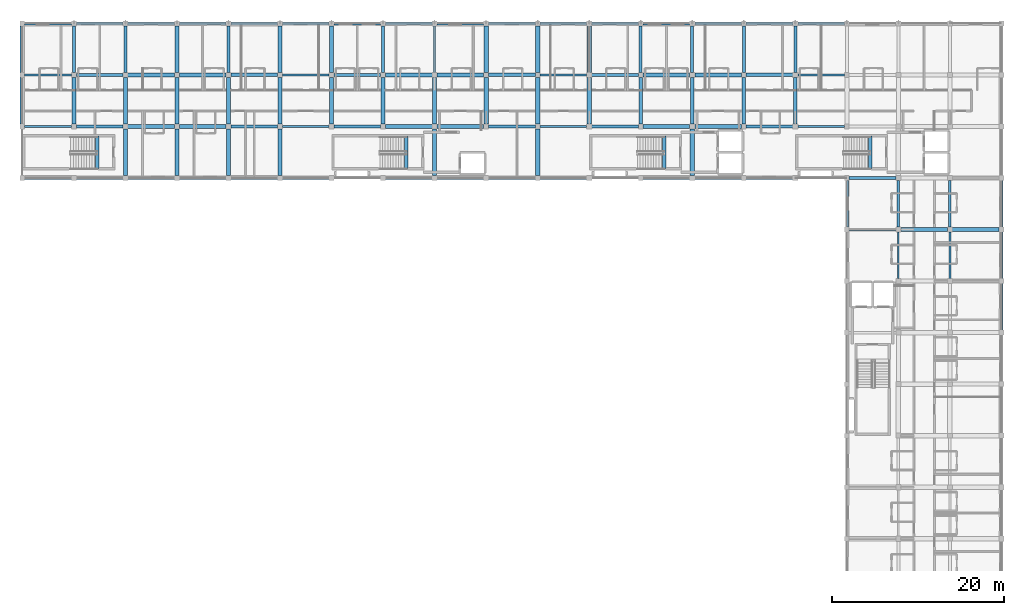
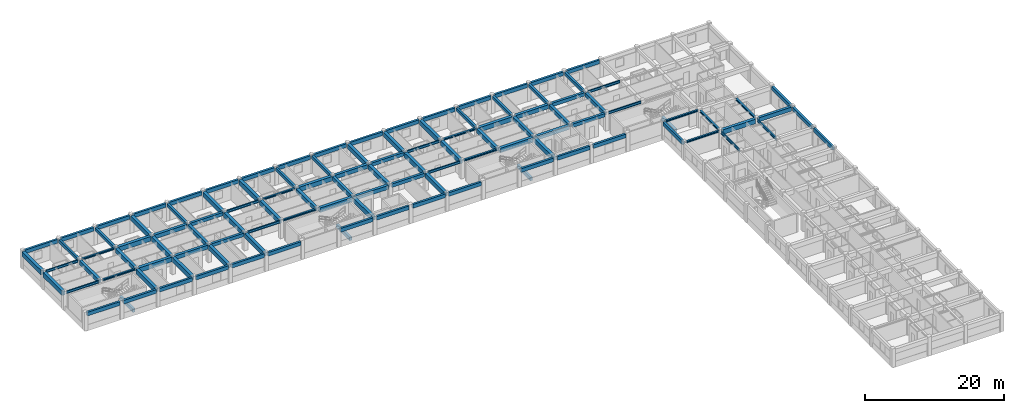
# One storey, part 2 of 22: 116 beams.
"""IFC4 building model written with IfcOpenShell, lengths in metres."""

import ifcopenshell
import ifcopenshell.guid

model = None  # the IFC model being written
_history = None  # IfcOwnerHistory: only IFC2X3 demands one
_inside = {}  # id of a spatial element -> (the spatial element, [elements in it])
_under = {}  # id of a project, library or spatial element -> (it, [spatial elements below it])
_declared = {}  # id of a project -> (the project, [libraries it declares])
_typed = {}  # id of a type object -> (the type object, [elements of that type])
_made_of = {}  # id of a material, layer set ... -> (it, [elements and type objects made of it])


def new_model(schema):
    """Start an empty IFC model of exactly this schema.

    Asked for "IFC4X3", IfcOpenShell would pick the latest addendum, in which some entities
    have other attributes; the version numbers below select the first issue.
    IFC2X3 requires an IfcOwnerHistory on every rooted entity: one is made here for all.
    """
    global model, _history
    if schema == "IFC4X3":
        model = ifcopenshell.file(schema_version=(4, 3, 0, 0))
    else:
        model = ifcopenshell.file(schema=schema)
    _inside.clear()
    _under.clear()
    _declared.clear()
    _typed.clear()
    _made_of.clear()
    _history = None
    if model.schema == "IFC2X3":
        org = make("IfcOrganization", Name="unknown")
        user = make(
            "IfcPersonAndOrganization",
            ThePerson=make("IfcPerson", FamilyName="unknown"),
            TheOrganization=org,
        )
        app = make(
            "IfcApplication",
            ApplicationDeveloper=org,
            Version="unknown",
            ApplicationFullName="unknown",
            ApplicationIdentifier="unknown",
        )
        _history = make(
            "IfcOwnerHistory",
            OwningUser=user,
            OwningApplication=app,
            ChangeAction="ADDED",
            CreationDate=0,
        )
    return model


def make(cls, **values):
    """One entity of the class cls with the attributes given. An attribute that is None is left unset."""
    return model.create_entity(
        cls, **{name: value for name, value in values.items() if value is not None}
    )


def rooted(cls, **values):
    """An entity with a GlobalId (a new one), such as an element, a storey or a relation."""
    return make(cls, GlobalId=ifcopenshell.guid.new(), OwnerHistory=_history, **values)


def si_unit(unit_type, name, prefix=None):
    """IfcSIUnit, for example si_unit("LENGTHUNIT", "METRE", prefix="MILLI")."""
    return make("IfcSIUnit", UnitType=unit_type, Prefix=prefix, Name=name)


def assignment(units):
    """IfcUnitAssignment: the units of a project."""
    return None if units is None else make("IfcUnitAssignment", Units=units)


def point(xyz):
    """IfcCartesianPoint."""
    return None if xyz is None else make("IfcCartesianPoint", Coordinates=xyz)


def direction(xyz):
    """IfcDirection."""
    return None if xyz is None else make("IfcDirection", DirectionRatios=xyz)


def frame(location, z_axis=None, x_axis=None):
    """IfcAxis2Placement3D, a coordinate frame: its origin and axes. An axis left out is left unset."""
    return make(
        "IfcAxis2Placement3D",
        Location=point(location),
        Axis=direction(z_axis),
        RefDirection=direction(x_axis),
    )


def frame_2d(location, x_axis=None):
    """IfcAxis2Placement2D, a coordinate frame in the plane: its origin and x axis."""
    return make(
        "IfcAxis2Placement2D", Location=point(location), RefDirection=direction(x_axis)
    )


def origin():
    """The frame at (0, 0, 0) with its axes left unset."""
    return frame((0.0, 0.0, 0.0))


def origin_2d():
    """The frame at (0, 0) in the plane with its x axis left unset."""
    return frame_2d((0.0, 0.0))


def place(relative_to, where):
    """IfcLocalPlacement: puts the frame where relative to a parent placement (None: the world)."""
    return make(
        "IfcLocalPlacement", PlacementRelTo=relative_to, RelativePlacement=where
    )


def context(
    kind, dimensions, precision=None, world=None, true_north=None, identifier=None
):
    """IfcGeometricRepresentationContext, for example the 3D "Model" context."""
    return make(
        "IfcGeometricRepresentationContext",
        ContextIdentifier=identifier,
        ContextType=kind,
        CoordinateSpaceDimension=dimensions,
        Precision=precision,
        WorldCoordinateSystem=world,
        TrueNorth=true_north,
    )


def subcontext(parent, identifier, kind, view, scale=None):
    """IfcGeometricRepresentationSubContext, for example "Body" below "Model"."""
    return make(
        "IfcGeometricRepresentationSubContext",
        ContextIdentifier=identifier,
        ContextType=kind,
        ParentContext=parent,
        TargetScale=scale,
        TargetView=view,
    )


def project(units=None, contexts=None):
    """IfcProject with its units and contexts."""
    return rooted(
        "IfcProject",
        Name="project",
        RepresentationContexts=contexts,
        UnitsInContext=assignment(units),
    )


def spatial(cls, under=None, at=None, **own):
    """A site, building, storey or space (cls), placed at a placement, below another one or the project."""
    s = rooted(cls, ObjectPlacement=at, **own)
    if under is not None:
        _under.setdefault(under.id(), (under, []))[1].append(s)
    return s


def profile(cls, at=None, kind="AREA", **sizes):
    """A parametric profile (cls). Its sizes go by their IFC names, for example OverallWidth=200.0."""
    return make(cls, ProfileType=kind, Position=at, **sizes)


def rectangle(**sizes):
    """IfcRectangleProfileDef."""
    return profile("IfcRectangleProfileDef", **sizes)


def i_section(**sizes):
    """IfcIShapeProfileDef."""
    return profile("IfcIShapeProfileDef", **sizes)


def extrude(swept, where, along, depth):
    """IfcExtrudedAreaSolid: the profile swept, set in the frame where, extruded along a direction by depth."""
    return make(
        "IfcExtrudedAreaSolid",
        SweptArea=swept,
        Position=where,
        ExtrudedDirection=direction(along),
        Depth=depth,
    )


def shape(context_of_items, identifier, shape_type, items):
    """IfcShapeRepresentation: the items that make up one representation, for example the "Body"."""
    return make(
        "IfcShapeRepresentation",
        ContextOfItems=context_of_items,
        RepresentationIdentifier=identifier,
        RepresentationType=shape_type,
        Items=items,
    )


def material(Name=None, Category=None):
    """IfcMaterial."""
    return make("IfcMaterial", Name=Name, Category=Category)


def material_profile(
    of_material, cross_section, Name=None, Category=None, Priority=None
):
    """IfcMaterialProfile: a cross section and its material."""
    return make(
        "IfcMaterialProfile",
        Name=Name,
        Material=of_material,
        Profile=cross_section,
        Priority=Priority,
        Category=Category,
    )


def profile_set(profiles, Name=None, composite=None):
    """IfcMaterialProfileSet."""
    return make(
        "IfcMaterialProfileSet",
        Name=Name,
        MaterialProfiles=profiles,
        CompositeProfile=composite,
    )


def made_of(thing, what):
    """Note that an element or type object is made of a material, layer set ...; save() writes the relation."""
    if what is not None:
        _made_of.setdefault(what.id(), (what, []))[1].append(thing)
    return thing


def type_object(cls, material=None, **own):
    """A type object (cls), such as IfcWallType, which elements share."""
    return made_of(rooted(cls, **own), material)


def element(
    cls,
    number,
    at=None,
    inside=None,
    cuts=None,
    type_object=None,
    material=None,
    context=None,
    identifier="Body",
    shape_type=None,
    held_by="IfcProductDefinitionShape",
    body=None,
    shapes=None,
    **own,
):
    """One element of the class cls, such as IfcWall. Its Tag is "e" and its number.

    at: its placement. inside: the storey or other place that contains it. cuts: it is an
    opening in that element (IfcRelVoidsElement). A single representation is given by context,
    identifier, shape_type and body (its items); several are given by shapes. held_by: the class
    of the entity that holds the representations. save() writes the other relations.
    """
    e = rooted(cls, Tag="e%d" % number, ObjectPlacement=at, **own)
    if body is not None:
        shapes = [shape(context, identifier, shape_type, body)]
    if shapes is not None:
        e.Representation = make(held_by, Representations=shapes)
    if inside is not None:
        _inside.setdefault(inside.id(), (inside, []))[1].append(e)
    if cuts is not None:
        rooted(
            "IfcRelVoidsElement", RelatingBuildingElement=cuts, RelatedOpeningElement=e
        )
    if type_object is not None:
        _typed.setdefault(type_object.id(), (type_object, []))[1].append(e)
    return made_of(e, material)


def aggregate(whole, parts):
    """IfcRelAggregates: a whole, such as a stair, and the parts it consists of."""
    return rooted("IfcRelAggregates", RelatingObject=whole, RelatedObjects=parts)


def save(model, path):
    """Write the relations noted so far, then the file.

    IfcRelAggregates (storeys below a building ...), IfcRelContainedInSpatialStructure (elements
    in a storey), IfcRelDefinesByType, IfcRelAssociatesMaterial and IfcRelDeclares: one each for
    every whole, place, type object, material and project.
    """
    for whole, parts in _under.values():
        aggregate(whole, parts)
    for where, things in _inside.values():
        rooted(
            "IfcRelContainedInSpatialStructure",
            RelatedElements=things,
            RelatingStructure=where,
        )
    for kind, things in _typed.values():
        rooted("IfcRelDefinesByType", RelatedObjects=things, RelatingType=kind)
    for what, things in _made_of.values():
        rooted("IfcRelAssociatesMaterial", RelatedObjects=things, RelatingMaterial=what)
    for by, libraries in _declared.values():
        rooted("IfcRelDeclares", RelatingContext=by, RelatedDefinitions=libraries)
    model.write(path)


model = new_model("IFC4")

# Units and contexts
model_context = context("Model", 3, precision=1e-05, world=origin(), true_north=direction((0.0, 1.0)))
body_context = subcontext(model_context, "Body", "Model", "MODEL_VIEW")
ifc_project = project(units=[si_unit("LENGTHUNIT", "METRE"), si_unit("AREAUNIT", "SQUARE_METRE"), si_unit("VOLUMEUNIT", "CUBIC_METRE"), si_unit("PLANEANGLEUNIT", "RADIAN"), si_unit("MASSUNIT", "GRAM", prefix="KILO"), si_unit("THERMODYNAMICTEMPERATUREUNIT", "KELVIN"), si_unit("POWERUNIT", "WATT")], contexts=[model_context])

# Site, building, storey
site_placement = place(None, origin())
site = spatial("IfcSite", under=ifc_project, at=site_placement, CompositionType="ELEMENT")
building_placement = place(site_placement, origin())
building = spatial("IfcBuilding", under=site, at=building_placement, Name="Phaisarnlok Congress Hotel", CompositionType="ELEMENT")
storey_placement = place(building_placement, frame((0.0, 0.0, 28.199951171875)))
storey = spatial("IfcBuildingStorey", under=building, at=storey_placement, Name="L06", CompositionType="ELEMENT", Elevation=28.199951171875)

# Beams
ifc_material_1 = material(Name="Concrete C40/50", Category="concrete")
ifc_material_profile_1 = material_profile(ifc_material_1, rectangle(XDim=0.35009765625, YDim=0.550048828125, at=origin_2d()), Name="RC 350x550")
ifc_profile_set_1 = profile_set([ifc_material_profile_1], Name="Concrete C40/50")
beam_type_1 = type_object("IfcBeamType", Name="BM-RC-350x550", PredefinedType="BEAM", material=ifc_profile_set_1)
beam_1_placement = place(storey_placement, frame((72.0, 120.294921875, 2.804931640625), z_axis=(0.0, 1.0, 0.0), x_axis=(-1.0, 0.0, 0.0)))
element("IfcBeam", 1, at=beam_1_placement, inside=storey, type_object=beam_type_1, Name="Beam B-01", PredefinedType="BEAM", context=body_context, shape_type="SweptSolid", body=[
    extrude(rectangle(XDim=0.35009765625, YDim=0.550048828125, at=origin_2d()), origin(), (0.0, 0.0, 1.0), 5.41015625),
])
for number, where, z_axis, x_axis, name in (
    (2, (78.0, 120.27001953125, 2.804931640625), (0.0, 1.0, 0.0), (-1.0, 0.0, 0.0), "Beam B-01"),
    (3, (90.0, 120.27001953125, 2.804931640625), (0.0, 1.0, 0.0), (-1.0, 0.0, 0.0), "Beam B-01"),
):
    element("IfcBeam", number, at=place(storey_placement, frame(where, z_axis=z_axis, x_axis=x_axis)), inside=storey, type_object=beam_type_1, Name=name, PredefinedType="BEAM", context=body_context, shape_type="SweptSolid", body=[
        extrude(rectangle(XDim=0.35009765625, YDim=0.550048828125, at=origin_2d()), origin(), (0.0, 0.0, 1.0), 5.4599609375),
    ])
beam_2_placement = place(storey_placement, frame((108.0, 120.294921875, 2.804931640625), z_axis=(0.0, 1.0, 0.0), x_axis=(-1.0, 0.0, 0.0)))
element("IfcBeam", 4, at=beam_2_placement, inside=storey, type_object=beam_type_1, Name="Beam B-01", PredefinedType="BEAM", context=body_context, shape_type="SweptSolid", body=[
    extrude(rectangle(XDim=0.35009765625, YDim=0.550048828125, at=origin_2d()), origin(), (0.0, 0.0, 1.0), 5.41015625),
])
for number, where, z_axis, x_axis, name in (
    (5, (114.0, 120.27001953125, 2.804931640625), (0.0, 1.0, 0.0), (-1.0, 0.0, 0.0), "Beam B-01"),
    (6, (138.0, 120.27001953125, 2.804931640625), (0.0, 1.0, 0.0), (-1.0, 0.0, 0.0), "Beam B-01"),
):
    element("IfcBeam", number, at=place(storey_placement, frame(where, z_axis=z_axis, x_axis=x_axis)), inside=storey, type_object=beam_type_1, Name=name, PredefinedType="BEAM", context=body_context, shape_type="SweptSolid", body=[
        extrude(rectangle(XDim=0.35009765625, YDim=0.550048828125, at=origin_2d()), origin(), (0.0, 0.0, 1.0), 5.4599609375),
    ])
beam_3_placement = place(storey_placement, frame((144.0, 120.294921875, 2.804931640625), z_axis=(0.0, 1.0, 0.0), x_axis=(-1.0, 0.0, 0.0)))
element("IfcBeam", 7, at=beam_3_placement, inside=storey, type_object=beam_type_1, Name="Beam B-01", PredefinedType="BEAM", context=body_context, shape_type="SweptSolid", body=[
    extrude(rectangle(XDim=0.35009765625, YDim=0.550048828125, at=origin_2d()), origin(), (0.0, 0.0, 1.0), 5.41015625),
])
beam_4_placement = place(storey_placement, frame((150.0, 120.27001953125, 2.804931640625), z_axis=(0.0, 1.0, 0.0), x_axis=(-1.0, 0.0, 0.0)))
element("IfcBeam", 8, at=beam_4_placement, inside=storey, type_object=beam_type_1, Name="Beam B-01", PredefinedType="BEAM", context=body_context, shape_type="SweptSolid", body=[
    extrude(rectangle(XDim=0.35009765625, YDim=0.550048828125, at=origin_2d()), origin(), (0.0, 0.0, 1.0), 5.4599609375),
])
beam_5_placement = place(storey_placement, frame((156.0, 120.294921875, 2.804931640625), z_axis=(0.0, 1.0, 0.0), x_axis=(-1.0, 0.0, 0.0)))
element("IfcBeam", 9, at=beam_5_placement, inside=storey, type_object=beam_type_1, Name="Beam B-01", PredefinedType="BEAM", context=body_context, shape_type="SweptSolid", body=[
    extrude(rectangle(XDim=0.35009765625, YDim=0.550048828125, at=origin_2d()), origin(), (0.0, 0.0, 1.0), 5.41015625),
])
ifc_material_profile_2 = material_profile(ifc_material_1, rectangle(XDim=0.39990234375, YDim=0.60009765625, at=origin_2d()), Name="RC 400x600")
ifc_profile_set_2 = profile_set([ifc_material_profile_2], Name="Concrete C40/50")
beam_type_2 = type_object("IfcBeamType", Name="BM-RC-400x600", PredefinedType="BEAM", material=ifc_profile_set_2)
for number, where, z_axis, x_axis, name in (
    (10, (90.27001953125, 114.0, 2.780029296875), (1.0, 0.0, 0.0), (0.0, 1.0, 0.0), "Beam B-02"),
    (11, (90.27001953125, 120.0, 2.780029296875), (1.0, 0.0, 0.0), (0.0, 1.0, 0.0), "Beam B-02"),
    (12, (120.294921875, 114.0, 2.780029296875), (1.0, 0.0, 0.0), (0.0, 1.0, 0.0), "Beam B-02"),
    (13, (120.294921875, 120.0, 2.780029296875), (1.0, 0.0, 0.0), (0.0, 1.0, 0.0), "Beam B-02"),
    (14, (150.27001953125, 114.0, 2.780029296875), (1.0, 0.0, 0.0), (0.0, 1.0, 0.0), "Beam B-02"),
    (15, (150.27001953125, 120.0, 2.780029296875), (1.0, 0.0, 0.0), (0.0, 1.0, 0.0), "Beam B-02"),
):
    element("IfcBeam", number, at=place(storey_placement, frame(where, z_axis=z_axis, x_axis=x_axis)), inside=storey, type_object=beam_type_2, Name=name, PredefinedType="BEAM", context=body_context, shape_type="SweptSolid", body=[
        extrude(rectangle(XDim=0.39990234375, YDim=0.60009765625, at=origin_2d()), origin(), (0.0, 0.0, 1.0), 5.43505859375),
    ])
for number, where, z_axis, x_axis, name in (
    (16, (164.719970703125, 109.080078125, -0.300048828125), (0.0, 1.0, 0.0), (-1.0, 0.0, 0.0), "Stair landing header beam B-02 (CORE-1 L06)"),
    (17, (140.719970703125, 109.080078125, -0.300048828125), (0.0, 1.0, 0.0), (-1.0, 0.0, 0.0), "Stair landing header beam B-02 (CORE-2 L06)"),
    (18, (110.719970703125, 109.080078125, -0.300048828125), (0.0, 1.0, 0.0), (-1.0, 0.0, 0.0), "Stair landing header beam B-02 (CORE-4 L06)"),
    (19, (74.719970703125, 109.080078125, -0.300048828125), (0.0, 1.0, 0.0), (-1.0, 0.0, 0.0), "Stair landing header beam B-02 (STAIR-HW L06)"),
):
    element("IfcBeam", number, at=place(storey_placement, frame(where, z_axis=z_axis, x_axis=x_axis)), inside=storey, type_object=beam_type_2, Name=name, PredefinedType="BEAM", context=body_context, shape_type="SweptSolid", body=[
        extrude(rectangle(XDim=0.39990234375, YDim=0.60009765625, at=origin_2d()), origin(), (0.0, 0.0, 1.0), 3.83984375),
    ])
ifc_material_profile_3 = material_profile(ifc_material_1, rectangle(XDim=0.449951171875, YDim=0.699951171875, at=origin_2d()), Name="RC 450x700")
ifc_profile_set_3 = profile_set([ifc_material_profile_3], Name="Concrete C40/50")
beam_type_3 = type_object("IfcBeamType", Name="BM-RC-450x700", PredefinedType="BEAM", material=ifc_profile_set_3)
beam_6_placement = place(storey_placement, frame((72.0, 114.294921875, 2.72998046875), z_axis=(0.0, 1.0, 0.0), x_axis=(-1.0, 0.0, 0.0)))
element("IfcBeam", 20, at=beam_6_placement, inside=storey, type_object=beam_type_3, Name="Beam B-03", PredefinedType="BEAM", context=body_context, shape_type="SweptSolid", body=[
    extrude(rectangle(XDim=0.449951171875, YDim=0.699951171875, at=origin_2d()), origin(), (0.0, 0.0, 1.0), 5.41015625),
])
beam_7_placement = place(storey_placement, frame((78.0, 114.27001953125, 2.72998046875), z_axis=(0.0, 1.0, 0.0), x_axis=(-1.0, 0.0, 0.0)))
element("IfcBeam", 21, at=beam_7_placement, inside=storey, type_object=beam_type_3, Name="Beam B-03", PredefinedType="BEAM", context=body_context, shape_type="SweptSolid", body=[
    extrude(rectangle(XDim=0.449951171875, YDim=0.699951171875, at=origin_2d()), origin(), (0.0, 0.0, 1.0), 5.4599609375),
])
for number, where, z_axis, x_axis, name in (
    (22, (84.294921875, 114.0, 2.72998046875), (1.0, 0.0, 0.0), (0.0, 1.0, 0.0), "Beam B-03"),
    (23, (84.294921875, 120.0, 2.72998046875), (1.0, 0.0, 0.0), (0.0, 1.0, 0.0), "Beam B-03"),
):
    element("IfcBeam", number, at=place(storey_placement, frame(where, z_axis=z_axis, x_axis=x_axis)), inside=storey, type_object=beam_type_3, Name=name, PredefinedType="BEAM", context=body_context, shape_type="SweptSolid", body=[
        extrude(rectangle(XDim=0.449951171875, YDim=0.699951171875, at=origin_2d()), origin(), (0.0, 0.0, 1.0), 5.43505859375),
    ])
beam_8_placement = place(storey_placement, frame((90.0, 114.27001953125, 2.72998046875), z_axis=(0.0, 1.0, 0.0), x_axis=(-1.0, 0.0, 0.0)))
element("IfcBeam", 24, at=beam_8_placement, inside=storey, type_object=beam_type_3, Name="Beam B-03", PredefinedType="BEAM", context=body_context, shape_type="SweptSolid", body=[
    extrude(rectangle(XDim=0.449951171875, YDim=0.699951171875, at=origin_2d()), origin(), (0.0, 0.0, 1.0), 5.4599609375),
])
beam_9_placement = place(storey_placement, frame((108.0, 114.294921875, 2.72998046875), z_axis=(0.0, 1.0, 0.0), x_axis=(-1.0, 0.0, 0.0)))
element("IfcBeam", 25, at=beam_9_placement, inside=storey, type_object=beam_type_3, Name="Beam B-03", PredefinedType="BEAM", context=body_context, shape_type="SweptSolid", body=[
    extrude(rectangle(XDim=0.449951171875, YDim=0.699951171875, at=origin_2d()), origin(), (0.0, 0.0, 1.0), 5.41015625),
])
beam_10_placement = place(storey_placement, frame((114.27001953125, 114.0, 2.72998046875), z_axis=(1.0, 0.0, 0.0), x_axis=(0.0, 1.0, 0.0)))
element("IfcBeam", 26, at=beam_10_placement, inside=storey, type_object=beam_type_3, Name="Beam B-03", PredefinedType="BEAM", context=body_context, shape_type="SweptSolid", body=[
    extrude(rectangle(XDim=0.449951171875, YDim=0.699951171875, at=origin_2d()), origin(), (0.0, 0.0, 1.0), 5.43505859375),
])
beam_11_placement = place(storey_placement, frame((114.0, 114.27001953125, 2.72998046875), z_axis=(0.0, 1.0, 0.0), x_axis=(-1.0, 0.0, 0.0)))
element("IfcBeam", 27, at=beam_11_placement, inside=storey, type_object=beam_type_3, Name="Beam B-03", PredefinedType="BEAM", context=body_context, shape_type="SweptSolid", body=[
    extrude(rectangle(XDim=0.449951171875, YDim=0.699951171875, at=origin_2d()), origin(), (0.0, 0.0, 1.0), 5.4599609375),
])
beam_12_placement = place(storey_placement, frame((114.27001953125, 120.0, 2.72998046875), z_axis=(1.0, 0.0, 0.0), x_axis=(0.0, 1.0, 0.0)))
element("IfcBeam", 28, at=beam_12_placement, inside=storey, type_object=beam_type_3, Name="Beam B-03", PredefinedType="BEAM", context=body_context, shape_type="SweptSolid", body=[
    extrude(rectangle(XDim=0.449951171875, YDim=0.699951171875, at=origin_2d()), origin(), (0.0, 0.0, 1.0), 5.43505859375),
])
beam_13_placement = place(storey_placement, frame((138.0, 114.27001953125, 2.72998046875), z_axis=(0.0, 1.0, 0.0), x_axis=(-1.0, 0.0, 0.0)))
element("IfcBeam", 29, at=beam_13_placement, inside=storey, type_object=beam_type_3, Name="Beam B-03", PredefinedType="BEAM", context=body_context, shape_type="SweptSolid", body=[
    extrude(rectangle(XDim=0.449951171875, YDim=0.699951171875, at=origin_2d()), origin(), (0.0, 0.0, 1.0), 5.4599609375),
])
beam_14_placement = place(storey_placement, frame((144.294921875, 114.0, 2.72998046875), z_axis=(1.0, 0.0, 0.0), x_axis=(0.0, 1.0, 0.0)))
element("IfcBeam", 30, at=beam_14_placement, inside=storey, type_object=beam_type_3, Name="Beam B-03", PredefinedType="BEAM", context=body_context, shape_type="SweptSolid", body=[
    extrude(rectangle(XDim=0.449951171875, YDim=0.699951171875, at=origin_2d()), origin(), (0.0, 0.0, 1.0), 5.43505859375),
])
beam_15_placement = place(storey_placement, frame((144.0, 114.294921875, 2.72998046875), z_axis=(0.0, 1.0, 0.0), x_axis=(-1.0, 0.0, 0.0)))
element("IfcBeam", 31, at=beam_15_placement, inside=storey, type_object=beam_type_3, Name="Beam B-03", PredefinedType="BEAM", context=body_context, shape_type="SweptSolid", body=[
    extrude(rectangle(XDim=0.449951171875, YDim=0.699951171875, at=origin_2d()), origin(), (0.0, 0.0, 1.0), 5.41015625),
])
beam_16_placement = place(storey_placement, frame((144.294921875, 120.0, 2.72998046875), z_axis=(1.0, 0.0, 0.0), x_axis=(0.0, 1.0, 0.0)))
element("IfcBeam", 32, at=beam_16_placement, inside=storey, type_object=beam_type_3, Name="Beam B-03", PredefinedType="BEAM", context=body_context, shape_type="SweptSolid", body=[
    extrude(rectangle(XDim=0.449951171875, YDim=0.699951171875, at=origin_2d()), origin(), (0.0, 0.0, 1.0), 5.43505859375),
])
beam_17_placement = place(storey_placement, frame((150.0, 114.27001953125, 2.72998046875), z_axis=(0.0, 1.0, 0.0), x_axis=(-1.0, 0.0, 0.0)))
element("IfcBeam", 33, at=beam_17_placement, inside=storey, type_object=beam_type_3, Name="Beam B-03", PredefinedType="BEAM", context=body_context, shape_type="SweptSolid", body=[
    extrude(rectangle(XDim=0.449951171875, YDim=0.699951171875, at=origin_2d()), origin(), (0.0, 0.0, 1.0), 5.4599609375),
])
beam_18_placement = place(storey_placement, frame((156.0, 114.294921875, 2.72998046875), z_axis=(0.0, 1.0, 0.0), x_axis=(-1.0, 0.0, 0.0)))
element("IfcBeam", 34, at=beam_18_placement, inside=storey, type_object=beam_type_3, Name="Beam B-03", PredefinedType="BEAM", context=body_context, shape_type="SweptSolid", body=[
    extrude(rectangle(XDim=0.449951171875, YDim=0.699951171875, at=origin_2d()), origin(), (0.0, 0.0, 1.0), 5.41015625),
])
beam_19_placement = place(storey_placement, frame((174.27001953125, 102.0, 2.72998046875), z_axis=(1.0, 0.0, 0.0), x_axis=(0.0, 1.0, 0.0)))
element("IfcBeam", 35, at=beam_19_placement, inside=storey, type_object=beam_type_3, Name="Beam B-03", PredefinedType="BEAM", context=body_context, shape_type="SweptSolid", body=[
    extrude(rectangle(XDim=0.449951171875, YDim=0.699951171875, at=origin_2d()), origin(), (0.0, 0.0, 1.0), 5.43505859375),
])
ifc_material_profile_4 = material_profile(ifc_material_1, rectangle(XDim=0.5, YDim=0.800048828125, at=origin_2d()), Name="RC 500x800")
ifc_profile_set_4 = profile_set([ifc_material_profile_4], Name="Concrete C40/50")
beam_type_4 = type_object("IfcBeamType", Name="BM-RC-500x800", PredefinedType="BEAM", material=ifc_profile_set_4)
beam_20_placement = place(storey_placement, frame((78.0, 108.27001953125, 2.679931640625), z_axis=(0.0, 1.0, 0.0), x_axis=(-1.0, 0.0, 0.0)))
element("IfcBeam", 36, at=beam_20_placement, inside=storey, type_object=beam_type_4, Name="Beam B-04", PredefinedType="BEAM", context=body_context, shape_type="SweptSolid", body=[
    extrude(rectangle(XDim=0.5, YDim=0.800048828125, at=origin_2d()), origin(), (0.0, 0.0, 1.0), 5.4599609375),
])
for number, where, z_axis, x_axis, name in (
    (37, (78.27001953125, 114.0, 2.679931640625), (1.0, 0.0, 0.0), (0.0, 1.0, 0.0), "Beam B-04"),
    (38, (78.27001953125, 120.0, 2.679931640625), (1.0, 0.0, 0.0), (0.0, 1.0, 0.0), "Beam B-04"),
):
    element("IfcBeam", number, at=place(storey_placement, frame(where, z_axis=z_axis, x_axis=x_axis)), inside=storey, type_object=beam_type_4, Name=name, PredefinedType="BEAM", context=body_context, shape_type="SweptSolid", body=[
        extrude(rectangle(XDim=0.5, YDim=0.800048828125, at=origin_2d()), origin(), (0.0, 0.0, 1.0), 5.43505859375),
    ])
for number, where, z_axis, x_axis, name in (
    (39, (84.0, 108.294921875, 2.679931640625), (0.0, 1.0, 0.0), (-1.0, 0.0, 0.0), "Beam B-04"),
    (40, (84.0, 114.294921875, 2.679931640625), (0.0, 1.0, 0.0), (-1.0, 0.0, 0.0), "Beam B-04"),
    (41, (84.0, 120.294921875, 2.679931640625), (0.0, 1.0, 0.0), (-1.0, 0.0, 0.0), "Beam B-04"),
):
    element("IfcBeam", number, at=place(storey_placement, frame(where, z_axis=z_axis, x_axis=x_axis)), inside=storey, type_object=beam_type_4, Name=name, PredefinedType="BEAM", context=body_context, shape_type="SweptSolid", body=[
        extrude(rectangle(XDim=0.5, YDim=0.800048828125, at=origin_2d()), origin(), (0.0, 0.0, 1.0), 5.41015625),
    ])
beam_21_placement = place(storey_placement, frame((90.0, 108.27001953125, 2.679931640625), z_axis=(0.0, 1.0, 0.0), x_axis=(-1.0, 0.0, 0.0)))
element("IfcBeam", 42, at=beam_21_placement, inside=storey, type_object=beam_type_4, Name="Beam B-04", PredefinedType="BEAM", context=body_context, shape_type="SweptSolid", body=[
    extrude(rectangle(XDim=0.5, YDim=0.800048828125, at=origin_2d()), origin(), (0.0, 0.0, 1.0), 5.4599609375),
])
for number, where, z_axis, x_axis, name in (
    (43, (96.0, 108.294921875, 2.679931640625), (0.0, 1.0, 0.0), (-1.0, 0.0, 0.0), "Beam B-04"),
    (44, (96.0, 114.294921875, 2.679931640625), (0.0, 1.0, 0.0), (-1.0, 0.0, 0.0), "Beam B-04"),
    (45, (96.0, 120.294921875, 2.679931640625), (0.0, 1.0, 0.0), (-1.0, 0.0, 0.0), "Beam B-04"),
):
    element("IfcBeam", number, at=place(storey_placement, frame(where, z_axis=z_axis, x_axis=x_axis)), inside=storey, type_object=beam_type_4, Name=name, PredefinedType="BEAM", context=body_context, shape_type="SweptSolid", body=[
        extrude(rectangle(XDim=0.5, YDim=0.800048828125, at=origin_2d()), origin(), (0.0, 0.0, 1.0), 5.41015625),
    ])
for number, where, z_axis, x_axis, name in (
    (46, (102.0, 114.27001953125, 2.679931640625), (0.0, 1.0, 0.0), (-1.0, 0.0, 0.0), "Beam B-04"),
    (47, (102.0, 120.27001953125, 2.679931640625), (0.0, 1.0, 0.0), (-1.0, 0.0, 0.0), "Beam B-04"),
):
    element("IfcBeam", number, at=place(storey_placement, frame(where, z_axis=z_axis, x_axis=x_axis)), inside=storey, type_object=beam_type_4, Name=name, PredefinedType="BEAM", context=body_context, shape_type="SweptSolid", body=[
        extrude(rectangle(XDim=0.5, YDim=0.800048828125, at=origin_2d()), origin(), (0.0, 0.0, 1.0), 5.4599609375),
    ])
for number, where, z_axis, x_axis, name in (
    (48, (108.294921875, 114.0, 2.679931640625), (1.0, 0.0, 0.0), (0.0, 1.0, 0.0), "Beam B-04"),
    (49, (108.294921875, 120.0, 2.679931640625), (1.0, 0.0, 0.0), (0.0, 1.0, 0.0), "Beam B-04"),
):
    element("IfcBeam", number, at=place(storey_placement, frame(where, z_axis=z_axis, x_axis=x_axis)), inside=storey, type_object=beam_type_4, Name=name, PredefinedType="BEAM", context=body_context, shape_type="SweptSolid", body=[
        extrude(rectangle(XDim=0.5, YDim=0.800048828125, at=origin_2d()), origin(), (0.0, 0.0, 1.0), 5.43505859375),
    ])
beam_22_placement = place(storey_placement, frame((114.0, 108.27001953125, 2.679931640625), z_axis=(0.0, 1.0, 0.0), x_axis=(-1.0, 0.0, 0.0)))
element("IfcBeam", 50, at=beam_22_placement, inside=storey, type_object=beam_type_4, Name="Beam B-04", PredefinedType="BEAM", context=body_context, shape_type="SweptSolid", body=[
    extrude(rectangle(XDim=0.5, YDim=0.800048828125, at=origin_2d()), origin(), (0.0, 0.0, 1.0), 5.4599609375),
])
for number, where, z_axis, x_axis, name in (
    (51, (120.0, 114.294921875, 2.679931640625), (0.0, 1.0, 0.0), (-1.0, 0.0, 0.0), "Beam B-04"),
    (52, (120.0, 120.294921875, 2.679931640625), (0.0, 1.0, 0.0), (-1.0, 0.0, 0.0), "Beam B-04"),
):
    element("IfcBeam", number, at=place(storey_placement, frame(where, z_axis=z_axis, x_axis=x_axis)), inside=storey, type_object=beam_type_4, Name=name, PredefinedType="BEAM", context=body_context, shape_type="SweptSolid", body=[
        extrude(rectangle(XDim=0.5, YDim=0.800048828125, at=origin_2d()), origin(), (0.0, 0.0, 1.0), 5.41015625),
    ])
for number, where, z_axis, x_axis, name in (
    (53, (126.0, 108.27001953125, 2.679931640625), (0.0, 1.0, 0.0), (-1.0, 0.0, 0.0), "Beam B-04"),
    (54, (126.0, 114.27001953125, 2.679931640625), (0.0, 1.0, 0.0), (-1.0, 0.0, 0.0), "Beam B-04"),
    (55, (126.0, 120.27001953125, 2.679931640625), (0.0, 1.0, 0.0), (-1.0, 0.0, 0.0), "Beam B-04"),
):
    element("IfcBeam", number, at=place(storey_placement, frame(where, z_axis=z_axis, x_axis=x_axis)), inside=storey, type_object=beam_type_4, Name=name, PredefinedType="BEAM", context=body_context, shape_type="SweptSolid", body=[
        extrude(rectangle(XDim=0.5, YDim=0.800048828125, at=origin_2d()), origin(), (0.0, 0.0, 1.0), 5.4599609375),
    ])
for number, where, z_axis, x_axis, name in (
    (56, (132.0, 114.294921875, 2.679931640625), (0.0, 1.0, 0.0), (-1.0, 0.0, 0.0), "Beam B-04"),
    (57, (132.0, 120.294921875, 2.679931640625), (0.0, 1.0, 0.0), (-1.0, 0.0, 0.0), "Beam B-04"),
):
    element("IfcBeam", number, at=place(storey_placement, frame(where, z_axis=z_axis, x_axis=x_axis)), inside=storey, type_object=beam_type_4, Name=name, PredefinedType="BEAM", context=body_context, shape_type="SweptSolid", body=[
        extrude(rectangle(XDim=0.5, YDim=0.800048828125, at=origin_2d()), origin(), (0.0, 0.0, 1.0), 5.41015625),
    ])
for number, where, z_axis, x_axis, name in (
    (58, (138.27001953125, 114.0, 2.679931640625), (1.0, 0.0, 0.0), (0.0, 1.0, 0.0), "Beam B-04"),
    (59, (138.27001953125, 120.0, 2.679931640625), (1.0, 0.0, 0.0), (0.0, 1.0, 0.0), "Beam B-04"),
):
    element("IfcBeam", number, at=place(storey_placement, frame(where, z_axis=z_axis, x_axis=x_axis)), inside=storey, type_object=beam_type_4, Name=name, PredefinedType="BEAM", context=body_context, shape_type="SweptSolid", body=[
        extrude(rectangle(XDim=0.5, YDim=0.800048828125, at=origin_2d()), origin(), (0.0, 0.0, 1.0), 5.43505859375),
    ])
beam_23_placement = place(storey_placement, frame((144.0, 108.294921875, 2.679931640625), z_axis=(0.0, 1.0, 0.0), x_axis=(-1.0, 0.0, 0.0)))
element("IfcBeam", 60, at=beam_23_placement, inside=storey, type_object=beam_type_4, Name="Beam B-04", PredefinedType="BEAM", context=body_context, shape_type="SweptSolid", body=[
    extrude(rectangle(XDim=0.5, YDim=0.800048828125, at=origin_2d()), origin(), (0.0, 0.0, 1.0), 5.41015625),
])
beam_24_placement = place(storey_placement, frame((168.294921875, 102.0, 2.679931640625), z_axis=(1.0, 0.0, 0.0), x_axis=(0.0, 1.0, 0.0)))
element("IfcBeam", 61, at=beam_24_placement, inside=storey, type_object=beam_type_4, Name="Beam B-04", PredefinedType="BEAM", context=body_context, shape_type="SweptSolid", body=[
    extrude(rectangle(XDim=0.5, YDim=0.800048828125, at=origin_2d()), origin(), (0.0, 0.0, 1.0), 5.43505859375),
])
ifc_material_2 = material(Name="Steel S355", Category="steel")
ifc_material_profile_5 = material_profile(ifc_material_2, i_section(OverallWidth=0.300048828125, OverallDepth=0.2900390625, WebThickness=0.008544921875, FlangeThickness=0.013916015625, FilletRadius=0.027099609375, at=origin_2d()), Name="HEA 300")
ifc_profile_set_5 = profile_set([ifc_material_profile_5], Name="Steel S355")
beam_type_5 = type_object("IfcBeamType", Name="BM-STL-HEA300", PredefinedType="BEAM", material=ifc_profile_set_5)
for number, where, z_axis, x_axis, name in (
    (62, (72.294921875, 114.0, 2.93505859375), (1.0, 0.0, 0.0), (0.0, 1.0, 0.0), "Beam SB-05"),
    (63, (72.294921875, 120.0, 2.93505859375), (1.0, 0.0, 0.0), (0.0, 1.0, 0.0), "Beam SB-05"),
    (64, (102.27001953125, 114.0, 2.93505859375), (1.0, 0.0, 0.0), (0.0, 1.0, 0.0), "Beam SB-05"),
    (65, (102.27001953125, 120.0, 2.93505859375), (1.0, 0.0, 0.0), (0.0, 1.0, 0.0), "Beam SB-05"),
    (66, (132.294921875, 114.0, 2.93505859375), (1.0, 0.0, 0.0), (0.0, 1.0, 0.0), "Beam SB-05"),
    (67, (132.294921875, 120.0, 2.93505859375), (1.0, 0.0, 0.0), (0.0, 1.0, 0.0), "Beam SB-05"),
    (68, (162.27001953125, 102.0, 2.93505859375), (1.0, 0.0, 0.0), (0.0, 1.0, 0.0), "Beam SB-05"),
    (69, (162.27001953125, 108.0, 2.93505859375), (1.0, 0.0, 0.0), (0.0, 1.0, 0.0), "Beam SB-05"),
):
    element("IfcBeam", number, at=place(storey_placement, frame(where, z_axis=z_axis, x_axis=x_axis)), inside=storey, type_object=beam_type_5, Name=name, PredefinedType="BEAM", context=body_context, shape_type="SweptSolid", body=[
        extrude(i_section(OverallWidth=0.300048828125, OverallDepth=0.2900390625, WebThickness=0.008544921875, FlangeThickness=0.013916015625, FilletRadius=0.027099609375, at=origin_2d()), origin(), (0.0, 0.0, 1.0), 5.43505859375),
    ])
ifc_material_profile_6 = material_profile(ifc_material_2, i_section(OverallWidth=0.300048828125, OverallDepth=0.340087890625, WebThickness=0.011962890625, FlangeThickness=0.021484375, FilletRadius=0.027099609375, at=origin_2d()), Name="HEB 340")
ifc_profile_set_6 = profile_set([ifc_material_profile_6], Name="Steel S355")
beam_type_6 = type_object("IfcBeamType", Name="BM-STL-HEB340", PredefinedType="BEAM", material=ifc_profile_set_6)
beam_25_placement = place(storey_placement, frame((168.0, 102.294921875, 2.91015625), z_axis=(0.0, 1.0, 0.0), x_axis=(-1.0, 0.0, 0.0)))
element("IfcBeam", 70, at=beam_25_placement, inside=storey, type_object=beam_type_6, Name="Beam SB-07", PredefinedType="BEAM", context=body_context, shape_type="SweptSolid", body=[
    extrude(i_section(OverallWidth=0.300048828125, OverallDepth=0.340087890625, WebThickness=0.011962890625, FlangeThickness=0.021484375, FilletRadius=0.027099609375, at=origin_2d()), origin(), (0.0, 0.0, 1.0), 5.41015625),
])
beam_26_placement = place(storey_placement, frame((174.0, 102.27001953125, 2.91015625), z_axis=(0.0, 1.0, 0.0), x_axis=(-1.0, 0.0, 0.0)))
element("IfcBeam", 71, at=beam_26_placement, inside=storey, type_object=beam_type_6, Name="Beam SB-07", PredefinedType="BEAM", context=body_context, shape_type="SweptSolid", body=[
    extrude(i_section(OverallWidth=0.300048828125, OverallDepth=0.340087890625, WebThickness=0.011962890625, FlangeThickness=0.021484375, FilletRadius=0.027099609375, at=origin_2d()), origin(), (0.0, 0.0, 1.0), 5.4599609375),
])
ifc_material_profile_7 = material_profile(ifc_material_2, i_section(OverallWidth=0.18994140625, OverallDepth=0.449951171875, WebThickness=0.009521484375, FlangeThickness=0.0146484375, FilletRadius=0.02099609375, at=origin_2d()), Name="IPE 450")
ifc_profile_set_7 = profile_set([ifc_material_profile_7], Name="Steel S355")
beam_type_7 = type_object("IfcBeamType", Name="BM-STL-IPE450", PredefinedType="BEAM", material=ifc_profile_set_7)
for number, where, z_axis, x_axis, name in (
    (72, (66.27001953125, 114.0, 2.85498046875), (1.0, 0.0, 0.0), (0.0, 1.0, 0.0), "Beam SB-01"),
    (73, (66.27001953125, 120.0, 2.85498046875), (1.0, 0.0, 0.0), (0.0, 1.0, 0.0), "Beam SB-01"),
    (74, (96.294921875, 114.0, 2.85498046875), (1.0, 0.0, 0.0), (0.0, 1.0, 0.0), "Beam SB-01"),
    (75, (96.294921875, 120.0, 2.85498046875), (1.0, 0.0, 0.0), (0.0, 1.0, 0.0), "Beam SB-01"),
    (76, (126.27001953125, 114.0, 2.85498046875), (1.0, 0.0, 0.0), (0.0, 1.0, 0.0), "Beam SB-01"),
    (77, (126.27001953125, 120.0, 2.85498046875), (1.0, 0.0, 0.0), (0.0, 1.0, 0.0), "Beam SB-01"),
    (78, (156.294921875, 114.0, 2.85498046875), (1.0, 0.0, 0.0), (0.0, 1.0, 0.0), "Beam SB-01"),
    (79, (156.294921875, 120.0, 2.85498046875), (1.0, 0.0, 0.0), (0.0, 1.0, 0.0), "Beam SB-01"),
):
    element("IfcBeam", number, at=place(storey_placement, frame(where, z_axis=z_axis, x_axis=x_axis)), inside=storey, type_object=beam_type_7, Name=name, PredefinedType="BEAM", context=body_context, shape_type="SweptSolid", body=[
        extrude(i_section(OverallWidth=0.18994140625, OverallDepth=0.449951171875, WebThickness=0.009521484375, FlangeThickness=0.0146484375, FilletRadius=0.02099609375, at=origin_2d()), origin(), (0.0, 0.0, 1.0), 5.43505859375),
    ])
ifc_material_profile_8 = material_profile(ifc_material_2, i_section(OverallWidth=0.199951171875, OverallDepth=0.5, WebThickness=0.01025390625, FlangeThickness=0.01611328125, FilletRadius=0.02099609375, at=origin_2d()), Name="IPE 500")
ifc_profile_set_8 = profile_set([ifc_material_profile_8], Name="Steel S355")
beam_type_8 = type_object("IfcBeamType", Name="BM-STL-IPE500", PredefinedType="BEAM", material=ifc_profile_set_8)
beam_27_placement = place(storey_placement, frame((168.0, 96.294921875, 2.830078125), z_axis=(0.0, 1.0, 0.0), x_axis=(-1.0, 0.0, 0.0)))
element("IfcBeam", 80, at=beam_27_placement, inside=storey, type_object=beam_type_8, Name="Beam SB-02", PredefinedType="BEAM", context=body_context, shape_type="SweptSolid", body=[
    extrude(i_section(OverallWidth=0.199951171875, OverallDepth=0.5, WebThickness=0.01025390625, FlangeThickness=0.01611328125, FilletRadius=0.02099609375, at=origin_2d()), origin(), (0.0, 0.0, 1.0), 5.41015625),
])
beam_28_placement = place(storey_placement, frame((174.0, 96.27001953125, 2.830078125), z_axis=(0.0, 1.0, 0.0), x_axis=(-1.0, 0.0, 0.0)))
element("IfcBeam", 81, at=beam_28_placement, inside=storey, type_object=beam_type_8, Name="Beam SB-02", PredefinedType="BEAM", context=body_context, shape_type="SweptSolid", body=[
    extrude(i_section(OverallWidth=0.199951171875, OverallDepth=0.5, WebThickness=0.01025390625, FlangeThickness=0.01611328125, FilletRadius=0.02099609375, at=origin_2d()), origin(), (0.0, 0.0, 1.0), 5.4599609375),
])
ifc_material_profile_9 = material_profile(ifc_material_1, rectangle(XDim=0.35009765625, YDim=0.64990234375, at=origin_2d()), Name="RC 350x650")
ifc_profile_set_9 = profile_set([ifc_material_profile_9], Name="Concrete C40/50")
beam_type_9 = type_object("IfcBeamType", Name="SP-RC-350x650", PredefinedType="SPANDREL", material=ifc_profile_set_9)
for number, where, z_axis, x_axis, name in (
    (82, (66.27001953125, 108.0, 2.755126953125), (1.0, 0.0, 0.0), (0.0, 1.0, 0.0), "Beam SP-01"),
    (83, (66.27001953125, 126.0, 2.755126953125), (1.0, 0.0, 0.0), (0.0, 1.0, 0.0), "Beam SP-01"),
    (84, (72.294921875, 108.0, 2.755126953125), (1.0, 0.0, 0.0), (0.0, 1.0, 0.0), "Beam SP-01"),
    (85, (72.294921875, 126.0, 2.755126953125), (1.0, 0.0, 0.0), (0.0, 1.0, 0.0), "Beam SP-01"),
    (86, (78.27001953125, 108.0, 2.755126953125), (1.0, 0.0, 0.0), (0.0, 1.0, 0.0), "Beam SP-01"),
    (87, (78.27001953125, 126.0, 2.755126953125), (1.0, 0.0, 0.0), (0.0, 1.0, 0.0), "Beam SP-01"),
    (88, (84.294921875, 108.0, 2.755126953125), (1.0, 0.0, 0.0), (0.0, 1.0, 0.0), "Beam SP-01"),
    (89, (84.294921875, 126.0, 2.755126953125), (1.0, 0.0, 0.0), (0.0, 1.0, 0.0), "Beam SP-01"),
    (90, (90.27001953125, 108.0, 2.755126953125), (1.0, 0.0, 0.0), (0.0, 1.0, 0.0), "Beam SP-01"),
    (91, (90.27001953125, 126.0, 2.755126953125), (1.0, 0.0, 0.0), (0.0, 1.0, 0.0), "Beam SP-01"),
    (92, (96.294921875, 108.0, 2.755126953125), (1.0, 0.0, 0.0), (0.0, 1.0, 0.0), "Beam SP-01"),
    (93, (96.294921875, 126.0, 2.755126953125), (1.0, 0.0, 0.0), (0.0, 1.0, 0.0), "Beam SP-01"),
    (94, (102.27001953125, 126.0, 2.755126953125), (1.0, 0.0, 0.0), (0.0, 1.0, 0.0), "Beam SP-01"),
    (95, (108.294921875, 108.0, 2.755126953125), (1.0, 0.0, 0.0), (0.0, 1.0, 0.0), "Beam SP-01"),
    (96, (108.294921875, 126.0, 2.755126953125), (1.0, 0.0, 0.0), (0.0, 1.0, 0.0), "Beam SP-01"),
    (97, (114.27001953125, 108.0, 2.755126953125), (1.0, 0.0, 0.0), (0.0, 1.0, 0.0), "Beam SP-01"),
    (98, (114.27001953125, 126.0, 2.755126953125), (1.0, 0.0, 0.0), (0.0, 1.0, 0.0), "Beam SP-01"),
    (99, (120.294921875, 108.0, 2.755126953125), (1.0, 0.0, 0.0), (0.0, 1.0, 0.0), "Beam SP-01"),
    (100, (120.294921875, 126.0, 2.755126953125), (1.0, 0.0, 0.0), (0.0, 1.0, 0.0), "Beam SP-01"),
    (101, (126.27001953125, 108.0, 2.755126953125), (1.0, 0.0, 0.0), (0.0, 1.0, 0.0), "Beam SP-01"),
    (102, (126.27001953125, 126.0, 2.755126953125), (1.0, 0.0, 0.0), (0.0, 1.0, 0.0), "Beam SP-01"),
    (103, (132.294921875, 126.0, 2.755126953125), (1.0, 0.0, 0.0), (0.0, 1.0, 0.0), "Beam SP-01"),
    (104, (138.27001953125, 108.0, 2.755126953125), (1.0, 0.0, 0.0), (0.0, 1.0, 0.0), "Beam SP-01"),
    (105, (138.27001953125, 126.0, 2.755126953125), (1.0, 0.0, 0.0), (0.0, 1.0, 0.0), "Beam SP-01"),
    (106, (144.294921875, 108.0, 2.755126953125), (1.0, 0.0, 0.0), (0.0, 1.0, 0.0), "Beam SP-01"),
    (107, (144.294921875, 126.0, 2.755126953125), (1.0, 0.0, 0.0), (0.0, 1.0, 0.0), "Beam SP-01"),
    (108, (150.27001953125, 108.0, 2.755126953125), (1.0, 0.0, 0.0), (0.0, 1.0, 0.0), "Beam SP-01"),
    (109, (150.27001953125, 126.0, 2.755126953125), (1.0, 0.0, 0.0), (0.0, 1.0, 0.0), "Beam SP-01"),
    (110, (156.294921875, 126.0, 2.755126953125), (1.0, 0.0, 0.0), (0.0, 1.0, 0.0), "Beam SP-01"),
):
    element("IfcBeam", number, at=place(storey_placement, frame(where, z_axis=z_axis, x_axis=x_axis)), inside=storey, type_object=beam_type_9, Name=name, PredefinedType="SPANDREL", context=body_context, shape_type="SweptSolid", body=[
        extrude(rectangle(XDim=0.35009765625, YDim=0.64990234375, at=origin_2d()), origin(), (0.0, 0.0, 1.0), 5.43505859375),
    ])
beam_29_placement = place(storey_placement, frame((162.0, 102.27001953125, 2.755126953125), z_axis=(0.0, 1.0, 0.0), x_axis=(-1.0, 0.0, 0.0)))
element("IfcBeam", 111, at=beam_29_placement, inside=storey, type_object=beam_type_9, Name="Beam SP-01", PredefinedType="SPANDREL", context=body_context, shape_type="SweptSolid", body=[
    extrude(rectangle(XDim=0.35009765625, YDim=0.64990234375, at=origin_2d()), origin(), (0.0, 0.0, 1.0), 5.4599609375),
])
for number, where, z_axis, x_axis, name in (
    (112, (180.0, 90.294921875, 2.755126953125), (0.0, 1.0, 0.0), (-1.0, 0.0, 0.0), "Beam SP-01"),
    (113, (180.0, 96.294921875, 2.755126953125), (0.0, 1.0, 0.0), (-1.0, 0.0, 0.0), "Beam SP-01"),
    (114, (180.0, 102.294921875, 2.755126953125), (0.0, 1.0, 0.0), (-1.0, 0.0, 0.0), "Beam SP-01"),
):
    element("IfcBeam", number, at=place(storey_placement, frame(where, z_axis=z_axis, x_axis=x_axis)), inside=storey, type_object=beam_type_9, Name=name, PredefinedType="SPANDREL", context=body_context, shape_type="SweptSolid", body=[
        extrude(rectangle(XDim=0.35009765625, YDim=0.64990234375, at=origin_2d()), origin(), (0.0, 0.0, 1.0), 5.41015625),
    ])
ifc_material_profile_10 = material_profile(ifc_material_1, rectangle(XDim=0.5, YDim=0.800048828125, at=origin_2d()), Name="RC 500x800")
ifc_profile_set_10 = profile_set([ifc_material_profile_10], Name="Concrete C40/50")
beam_type_10 = type_object("IfcBeamType", Name="SP-RC-500x800", PredefinedType="SPANDREL", material=ifc_profile_set_10)
for number, where, z_axis, x_axis, name in (
    (115, (66.0, 114.27001953125, 2.679931640625), (0.0, 1.0, 0.0), (-1.0, 0.0, 0.0), "Beam SP-04"),
    (116, (66.0, 120.27001953125, 2.679931640625), (0.0, 1.0, 0.0), (-1.0, 0.0, 0.0), "Beam SP-04"),
):
    element("IfcBeam", number, at=place(storey_placement, frame(where, z_axis=z_axis, x_axis=x_axis)), inside=storey, type_object=beam_type_10, Name=name, PredefinedType="SPANDREL", context=body_context, shape_type="SweptSolid", body=[
        extrude(rectangle(XDim=0.5, YDim=0.800048828125, at=origin_2d()), origin(), (0.0, 0.0, 1.0), 5.4599609375),
    ])

save(model, "model.ifc")
